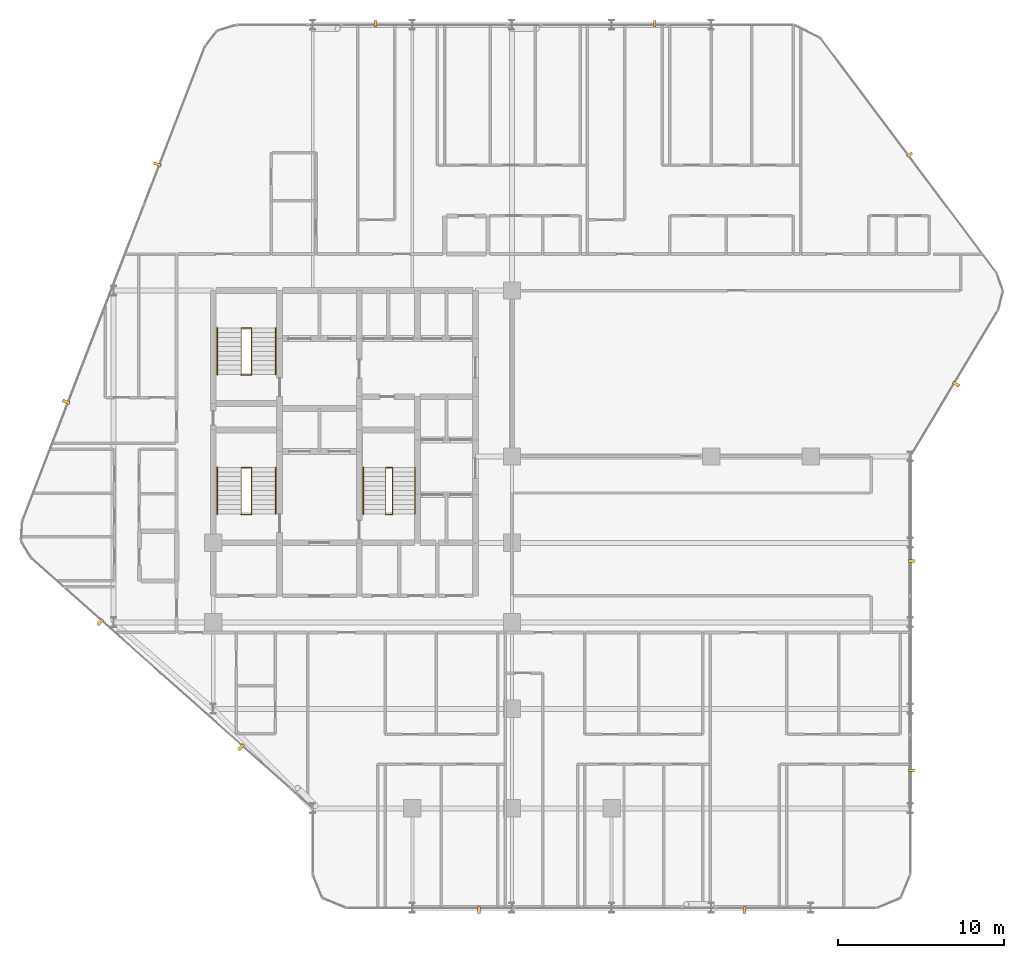
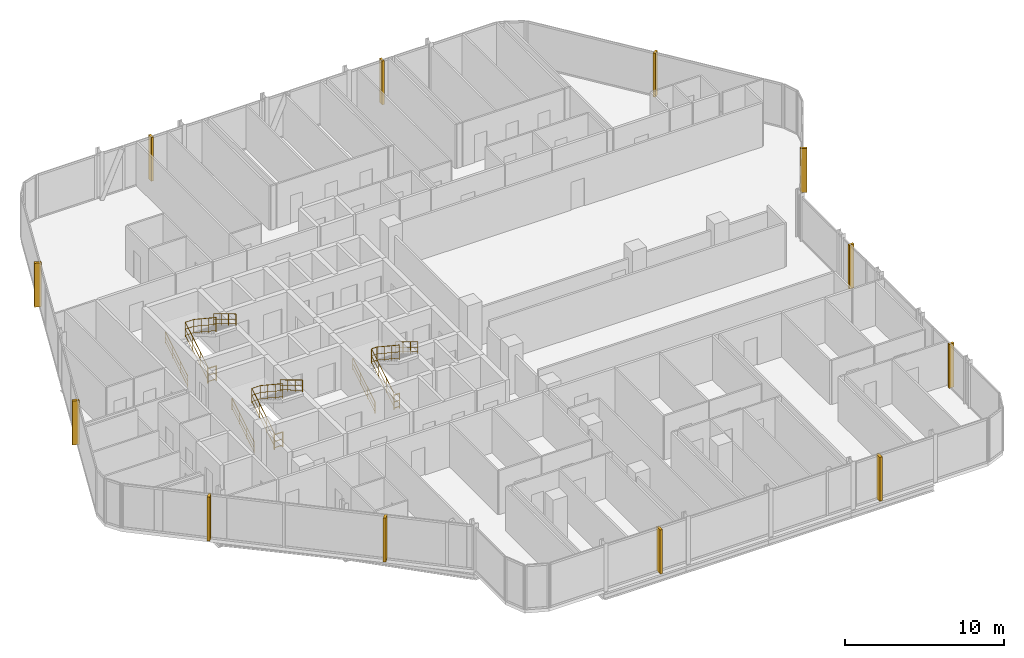
# One storey, part 29 of 29: 12 coverings, 12 railings.
"""IFC4 building model written with IfcOpenShell, lengths in metres."""

from ifc_helpers import new_model, si_unit, direction, frame, origin, origin_2d, place, context, subcontext, project, spatial, rectangle, circle, extrude, material, layer, layer_set, type_object, element, save


model = new_model("IFC4")

# Units and contexts
model_context = context("Model", 3, precision=1e-05, world=origin(), true_north=direction((0.0, 1.0)))
body_context = subcontext(model_context, "Body", "Model", "MODEL_VIEW")
ifc_project = project(units=[si_unit("LENGTHUNIT", "METRE"), si_unit("AREAUNIT", "SQUARE_METRE"), si_unit("VOLUMEUNIT", "CUBIC_METRE"), si_unit("PLANEANGLEUNIT", "RADIAN"), si_unit("MASSUNIT", "GRAM", prefix="KILO")], contexts=[model_context])

# Site, building, storey
site_placement = place(None, origin())
site = spatial("IfcSite", under=ifc_project, at=site_placement, CompositionType="ELEMENT")
building_placement = place(site_placement, origin())
building = spatial("IfcBuilding", under=site, at=building_placement, Name="Keshet Zoharim Tower", CompositionType="ELEMENT")
storey_placement = place(building_placement, frame((0.0, 0.0, 94.60009765625)))
storey = spatial("IfcBuildingStorey", under=building, at=storey_placement, Name="L22", CompositionType="ELEMENT", Elevation=94.60009765625)

# Coverings
ifc_material_1 = material(Name="Concrete C50/60 precast", Category="concrete")
covering_type_1 = type_object("IfcCoveringType", Name="FIN-SOL-360", PredefinedType="CLADDING", material=ifc_material_1)
for number, where, z_axis, x_axis, name in (
    (1, (24.780029296875, 53.97998046875, 0.0), (0.0, 0.0, 1.0), (1.0, 0.0, 0.0), "L22 Vertical Precast Solar Fin 07"),
    (2, (41.593994140625, 53.97998046875, 0.0), (0.0, 0.0, 1.0), (1.0, 0.0, 0.0), "L22 Vertical Precast Solar Fin 08"),
    (3, (56.9609375, 46.0859375, 0.0), (0.0, 0.0, 1.0), (0.600000000002, -0.799999999998, 0.0), "L22 Vertical Precast Solar Fin 09"),
    (4, (57.080078125, 21.60009765625, 0.0), (0.0, 0.0, 1.0), (0.0, -1.0, 0.0), "L22 Vertical Precast Solar Fin 11"),
    (5, (57.080078125, 9.0, 0.0), (0.0, 0.0, 1.0), (0.0, -1.0, 0.0), "L22 Vertical Precast Solar Fin 12"),
):
    element("IfcCovering", number, at=place(storey_placement, frame(where, z_axis=z_axis, x_axis=x_axis)), inside=storey, type_object=covering_type_1, Name=name, PredefinedType="CLADDING", context=body_context, shape_type="SweptSolid", body=[
        extrude(rectangle(XDim=0.159912109375, YDim=0.360107421875, at=origin_2d()), origin(), (0.0, 0.0, 1.0), 3.385009765625),
    ])
covering_type_2 = type_object("IfcCoveringType", Name="FIN-SOL-450", PredefinedType="CLADDING", material=ifc_material_1)
for number, where, z_axis, x_axis, name in (
    (6, (47.0, 0.574951171875, 0.0), (0.0, 0.0, 1.0), (-1.0, 0.0, 0.0), "L22 Vertical Precast Solar Fin 01"),
    (7, (31.0, 0.574951171875, 0.0), (0.0, 0.0, 1.0), (-1.0, 0.0, 0.0), "L22 Vertical Precast Solar Fin 02"),
    (8, (16.676025390625, 10.376953125, 0.0), (0.0, 0.0, 1.0), (-0.747409318679, 0.664363838836, 0.0), "L22 Vertical Precast Solar Fin 03"),
    (9, (8.193115234375, 17.9169921875, 0.0), (0.0, 0.0, 1.0), (-0.747409318679, 0.664363838836, 0.0), "L22 Vertical Precast Solar Fin 04"),
    (10, (6.133056640625, 31.194091796875, 0.0), (0.0, 0.0, 1.0), (0.358990003907, 0.933341404361, 0.0), "L22 Vertical Precast Solar Fin 05"),
    (11, (11.637939453125, 45.507080078125, 0.0), (0.0, 0.0, 1.0), (0.358990003907, 0.933341404361, 0.0), "L22 Vertical Precast Solar Fin 06"),
    (12, (59.760986328125, 32.259033203125, 0.0), (0.0, 0.0, 1.0), (-0.514481501576, -0.857501477862, 0.0), "L22 Vertical Precast Solar Fin 10"),
):
    element("IfcCovering", number, at=place(storey_placement, frame(where, z_axis=z_axis, x_axis=x_axis)), inside=storey, type_object=covering_type_2, Name=name, PredefinedType="CLADDING", context=body_context, shape_type="SweptSolid", body=[
        extrude(rectangle(XDim=0.179931640625, YDim=0.449951171875, at=origin_2d()), origin(), (0.0, 0.0, 1.0), 3.385009765625),
    ])

# Railings
ifc_material_2 = material(Name="Steel S355", Category="steel")
ifc_layer_1 = layer(ifc_material_2, 0.050048828125)
ifc_layer_set_1 = layer_set([ifc_layer_1], Name="Steel S355")
railing_type_1 = type_object("IfcRailingType", Name="RL-HND-092", PredefinedType="HANDRAIL", material=ifc_layer_set_1)
railing_1_placement = place(storey_placement, frame((15.239990234375, 24.43994140625, 0.168212890625)))
element("IfcRailing", 13, at=railing_1_placement, inside=storey, type_object=railing_type_1, Name="L22 ST-01 Flight 1 Wall Handrail", PredefinedType="HANDRAIL", context=body_context, shape_type="SweptSolid", body=[
    extrude(circle(Radius=0.02392578125, at=origin_2d()), frame((0.0, 0.0, 0.89599609375), z_axis=(0.0, 0.857275202839, 0.514858452973), x_axis=(-1.0, 0.0, 0.0)), (0.0, 0.0, 1.0), 3.26611328125),
    extrude(circle(Radius=0.01611328125, at=origin_2d()), frame((0.0, 0.0, 0.478271484375), z_axis=(0.0, 0.857275202839, 0.514858452973), x_axis=(-1.0, 0.0, 0.0)), (0.0, 0.0, 1.0), 3.26611328125),
    extrude(circle(Radius=0.01611328125, at=origin_2d()), frame((0.0, 0.0, 0.1201171875), z_axis=(0.0, 0.857275202839, 0.514858452973), x_axis=(-1.0, 0.0, 0.0)), (0.0, 0.0, 1.0), 3.26611328125),
    extrude(circle(Radius=0.02099609375, at=origin_2d()), origin(), (0.0, 0.0, 1.0), 0.871826171875),
    extrude(circle(Radius=0.02099609375, at=origin_2d()), frame((0.0, 0.933349609375, 0.560546875)), (0.0, 0.0, 1.0), 0.871826171875),
    extrude(circle(Radius=0.02099609375, at=origin_2d()), frame((0.0, 1.86669921875, 1.12109375)), (0.0, 0.0, 1.0), 0.871826171875),
    extrude(circle(Radius=0.02099609375, at=origin_2d()), frame((0.0, 2.800048828125, 1.681640625)), (0.0, 0.0, 1.0), 0.871826171875),
])
railing_2_placement = place(storey_placement, frame((18.760009765625, 27.239990234375, 2.01806640625)))
element("IfcRailing", 14, at=railing_2_placement, inside=storey, type_object=railing_type_1, Name="L22 ST-01 Flight 2 Wall Handrail", PredefinedType="HANDRAIL", context=body_context, shape_type="SweptSolid", body=[
    extrude(circle(Radius=0.02392578125, at=origin_2d()), frame((0.0, 0.0, 0.89599609375), z_axis=(0.0, -0.857242210791, 0.514913383045), x_axis=(1.0, 0.0, 0.0)), (0.0, 0.0, 1.0), 3.266357421875),
    extrude(circle(Radius=0.01611328125, at=origin_2d()), frame((0.0, 0.0, 0.478271484375), z_axis=(0.0, -0.857242210791, 0.514913383045), x_axis=(1.0, 0.0, 0.0)), (0.0, 0.0, 1.0), 3.266357421875),
    extrude(circle(Radius=0.01611328125, at=origin_2d()), frame((0.0, 0.0, 0.1201171875), z_axis=(0.0, -0.857242210791, 0.514913383045), x_axis=(1.0, 0.0, 0.0)), (0.0, 0.0, 1.0), 3.266357421875),
    extrude(circle(Radius=0.02099609375, at=origin_2d()), origin(), (0.0, 0.0, 1.0), 0.871826171875),
    extrude(circle(Radius=0.02099609375, at=origin_2d()), frame((0.0, -0.933349609375, 0.560546875)), (0.0, 0.0, 1.0), 0.871826171875),
    extrude(circle(Radius=0.02099609375, at=origin_2d()), frame((0.0, -1.86669921875, 1.121337890625)), (0.0, 0.0, 1.0), 0.871826171875),
    extrude(circle(Radius=0.02099609375, at=origin_2d()), frame((0.0, -2.800048828125, 1.681884765625)), (0.0, 0.0, 1.0), 0.871826171875),
])
railing_3_placement = place(storey_placement, frame((15.239990234375, 32.840087890625, 0.168212890625)))
element("IfcRailing", 15, at=railing_3_placement, inside=storey, type_object=railing_type_1, Name="L22 ST-02 Flight 1 Wall Handrail", PredefinedType="HANDRAIL", context=body_context, shape_type="SweptSolid", body=[
    extrude(circle(Radius=0.02392578125, at=origin_2d()), frame((0.0, 0.0, 0.89599609375), z_axis=(0.0, 0.857255387014, 0.514891446264), x_axis=(-1.0, 0.0, 0.0)), (0.0, 0.0, 1.0), 3.26611328125),
    extrude(circle(Radius=0.01611328125, at=origin_2d()), frame((0.0, 0.0, 0.478271484375), z_axis=(0.0, 0.857255387014, 0.514891446264), x_axis=(-1.0, 0.0, 0.0)), (0.0, 0.0, 1.0), 3.26611328125),
    extrude(circle(Radius=0.01611328125, at=origin_2d()), frame((0.0, 0.0, 0.1201171875), z_axis=(0.0, 0.857255387014, 0.514891446264), x_axis=(-1.0, 0.0, 0.0)), (0.0, 0.0, 1.0), 3.26611328125),
    extrude(circle(Radius=0.02099609375, at=origin_2d()), origin(), (0.0, 0.0, 1.0), 0.871826171875),
    extrude(circle(Radius=0.02099609375, at=origin_2d()), frame((0.0, 0.933349609375, 0.560546875)), (0.0, 0.0, 1.0), 0.871826171875),
    extrude(circle(Radius=0.02099609375, at=origin_2d()), frame((0.0, 1.866455078125, 1.12109375)), (0.0, 0.0, 1.0), 0.871826171875),
    extrude(circle(Radius=0.02099609375, at=origin_2d()), frame((0.0, 2.7998046875, 1.681640625)), (0.0, 0.0, 1.0), 0.871826171875),
])
railing_4_placement = place(storey_placement, frame((18.760009765625, 35.639892578125, 2.01806640625)))
element("IfcRailing", 16, at=railing_4_placement, inside=storey, type_object=railing_type_1, Name="L22 ST-02 Flight 2 Wall Handrail", PredefinedType="HANDRAIL", context=body_context, shape_type="SweptSolid", body=[
    extrude(circle(Radius=0.02392578125, at=origin_2d()), frame((0.0, 0.0, 0.89599609375), z_axis=(0.0, -0.857222391501, 0.514946377315), x_axis=(1.0, 0.0, 0.0)), (0.0, 0.0, 1.0), 3.26611328125),
    extrude(circle(Radius=0.01611328125, at=origin_2d()), frame((0.0, 0.0, 0.478271484375), z_axis=(0.0, -0.857222391501, 0.514946377315), x_axis=(1.0, 0.0, 0.0)), (0.0, 0.0, 1.0), 3.26611328125),
    extrude(circle(Radius=0.01611328125, at=origin_2d()), frame((0.0, 0.0, 0.1201171875), z_axis=(0.0, -0.857222391501, 0.514946377315), x_axis=(1.0, 0.0, 0.0)), (0.0, 0.0, 1.0), 3.26611328125),
    extrude(circle(Radius=0.02099609375, at=origin_2d()), origin(), (0.0, 0.0, 1.0), 0.871826171875),
    extrude(circle(Radius=0.02099609375, at=origin_2d()), frame((0.0, -0.933349609375, 0.560546875)), (0.0, 0.0, 1.0), 0.871826171875),
    extrude(circle(Radius=0.02099609375, at=origin_2d()), frame((0.0, -1.866455078125, 1.121337890625)), (0.0, 0.0, 1.0), 0.871826171875),
    extrude(circle(Radius=0.02099609375, at=origin_2d()), frame((0.0, -2.7998046875, 1.681884765625)), (0.0, 0.0, 1.0), 0.871826171875),
])
railing_5_placement = place(storey_placement, frame((24.0400390625, 24.43994140625, 0.168212890625)))
element("IfcRailing", 17, at=railing_5_placement, inside=storey, type_object=railing_type_1, Name="L22 ST-03 Flight 1 Wall Handrail", PredefinedType="HANDRAIL", context=body_context, shape_type="SweptSolid", body=[
    extrude(circle(Radius=0.02392578125, at=origin_2d()), frame((0.0, 0.0, 0.89599609375), z_axis=(0.0, 0.857275202839, 0.514858452973), x_axis=(-1.0, 0.0, 0.0)), (0.0, 0.0, 1.0), 3.26611328125),
    extrude(circle(Radius=0.01611328125, at=origin_2d()), frame((0.0, 0.0, 0.478271484375), z_axis=(0.0, 0.857275202839, 0.514858452973), x_axis=(-1.0, 0.0, 0.0)), (0.0, 0.0, 1.0), 3.26611328125),
    extrude(circle(Radius=0.01611328125, at=origin_2d()), frame((0.0, 0.0, 0.1201171875), z_axis=(0.0, 0.857275202839, 0.514858452973), x_axis=(-1.0, 0.0, 0.0)), (0.0, 0.0, 1.0), 3.26611328125),
    extrude(circle(Radius=0.02099609375, at=origin_2d()), origin(), (0.0, 0.0, 1.0), 0.871826171875),
    extrude(circle(Radius=0.02099609375, at=origin_2d()), frame((0.0, 0.933349609375, 0.560546875)), (0.0, 0.0, 1.0), 0.871826171875),
    extrude(circle(Radius=0.02099609375, at=origin_2d()), frame((0.0, 1.86669921875, 1.12109375)), (0.0, 0.0, 1.0), 0.871826171875),
    extrude(circle(Radius=0.02099609375, at=origin_2d()), frame((0.0, 2.800048828125, 1.681640625)), (0.0, 0.0, 1.0), 0.871826171875),
])
railing_6_placement = place(storey_placement, frame((27.159912109375, 27.239990234375, 2.01806640625)))
element("IfcRailing", 18, at=railing_6_placement, inside=storey, type_object=railing_type_1, Name="L22 ST-03 Flight 2 Wall Handrail", PredefinedType="HANDRAIL", context=body_context, shape_type="SweptSolid", body=[
    extrude(circle(Radius=0.02392578125, at=origin_2d()), frame((0.0, 0.0, 0.89599609375), z_axis=(0.0, -0.857242210791, 0.514913383045), x_axis=(1.0, 0.0, 0.0)), (0.0, 0.0, 1.0), 3.266357421875),
    extrude(circle(Radius=0.01611328125, at=origin_2d()), frame((0.0, 0.0, 0.478271484375), z_axis=(0.0, -0.857242210791, 0.514913383045), x_axis=(1.0, 0.0, 0.0)), (0.0, 0.0, 1.0), 3.266357421875),
    extrude(circle(Radius=0.01611328125, at=origin_2d()), frame((0.0, 0.0, 0.1201171875), z_axis=(0.0, -0.857242210791, 0.514913383045), x_axis=(1.0, 0.0, 0.0)), (0.0, 0.0, 1.0), 3.266357421875),
    extrude(circle(Radius=0.02099609375, at=origin_2d()), origin(), (0.0, 0.0, 1.0), 0.871826171875),
    extrude(circle(Radius=0.02099609375, at=origin_2d()), frame((0.0, -0.933349609375, 0.560546875)), (0.0, 0.0, 1.0), 0.871826171875),
    extrude(circle(Radius=0.02099609375, at=origin_2d()), frame((0.0, -1.86669921875, 1.121337890625)), (0.0, 0.0, 1.0), 0.871826171875),
    extrude(circle(Radius=0.02099609375, at=origin_2d()), frame((0.0, -2.800048828125, 1.681884765625)), (0.0, 0.0, 1.0), 0.871826171875),
])
ifc_layer_2 = layer(ifc_material_2, 0.06005859375)
ifc_layer_set_2 = layer_set([ifc_layer_2], Name="Steel S355")
railing_type_2 = type_object("IfcRailingType", Name="RL-STG-115", PredefinedType="GUARDRAIL", material=ifc_layer_set_2)
railing_7_placement = place(storey_placement, frame((16.68994140625, 24.43994140625, 0.168212890625)))
element("IfcRailing", 19, at=railing_7_placement, inside=storey, type_object=railing_type_2, Name="L22 ST-01 Inner Well Guardrail", PredefinedType="GUARDRAIL", context=body_context, shape_type="SweptSolid", body=[
    extrude(circle(Radius=0.02392578125, at=origin_2d()), frame((0.0, 0.0, 1.1259765625), z_axis=(0.0, 0.857275202839, 0.514858452973), x_axis=(-1.0, 0.0, 0.0)), (0.0, 0.0, 1.0), 3.26611328125),
    extrude(circle(Radius=0.01611328125, at=origin_2d()), frame((0.0, 0.0, 0.597900390625), z_axis=(0.0, 0.857275202839, 0.514858452973), x_axis=(-1.0, 0.0, 0.0)), (0.0, 0.0, 1.0), 3.26611328125),
    extrude(circle(Radius=0.01611328125, at=origin_2d()), frame((0.0, 0.0, 0.1201171875), z_axis=(0.0, 0.857275202839, 0.514858452973), x_axis=(-1.0, 0.0, 0.0)), (0.0, 0.0, 1.0), 3.26611328125),
    extrude(circle(Radius=0.02392578125, at=origin_2d()), frame((0.0, 2.800048828125, 2.8076171875), z_axis=(1.0, 0.0, 0.0), x_axis=(0.0, 1.0, 0.0)), (0.0, 0.0, 1.0), 0.6201171875),
    extrude(circle(Radius=0.01611328125, at=origin_2d()), frame((0.0, 2.800048828125, 2.279541015625), z_axis=(1.0, 0.0, 0.0), x_axis=(0.0, 1.0, 0.0)), (0.0, 0.0, 1.0), 0.6201171875),
    extrude(circle(Radius=0.01611328125, at=origin_2d()), frame((0.0, 2.800048828125, 1.8017578125), z_axis=(1.0, 0.0, 0.0), x_axis=(0.0, 1.0, 0.0)), (0.0, 0.0, 1.0), 0.6201171875),
    extrude(circle(Radius=0.02392578125, at=origin_2d()), frame((0.6201171875, 2.800048828125, 2.8076171875), z_axis=(0.0, -0.834326358476, 0.551270829586), x_axis=(1.0, 0.0, 0.0)), (0.0, 0.0, 1.0), 3.35595703125),
    extrude(circle(Radius=0.01611328125, at=origin_2d()), frame((0.6201171875, 2.800048828125, 2.279541015625), z_axis=(0.0, -0.834326358476, 0.551270829586), x_axis=(1.0, 0.0, 0.0)), (0.0, 0.0, 1.0), 3.35595703125),
    extrude(circle(Radius=0.01611328125, at=origin_2d()), frame((0.6201171875, 2.800048828125, 1.8017578125), z_axis=(0.0, -0.834326358476, 0.551270829586), x_axis=(1.0, 0.0, 0.0)), (0.0, 0.0, 1.0), 3.35595703125),
    extrude(circle(Radius=0.02099609375, at=origin_2d()), origin(), (0.0, 0.0, 1.0), 1.101806640625),
    extrude(circle(Radius=0.02099609375, at=origin_2d()), frame((0.0, 0.933349609375, 0.560546875)), (0.0, 0.0, 1.0), 1.101806640625),
    extrude(circle(Radius=0.02099609375, at=origin_2d()), frame((0.0, 1.86669921875, 1.12109375)), (0.0, 0.0, 1.0), 1.101806640625),
    extrude(circle(Radius=0.02099609375, at=origin_2d()), frame((0.0, 2.800048828125, 1.681640625)), (0.0, 0.0, 1.0), 1.101806640625),
    extrude(circle(Radius=0.02099609375, at=origin_2d()), frame((0.6201171875, 2.800048828125, 1.681640625)), (0.0, 0.0, 1.0), 1.101806640625),
    extrude(circle(Radius=0.02099609375, at=origin_2d()), frame((0.6201171875, 1.86669921875, 2.29833984375)), (0.0, 0.0, 1.0), 1.101806640625),
    extrude(circle(Radius=0.02099609375, at=origin_2d()), frame((0.6201171875, 0.933349609375, 2.9150390625)), (0.0, 0.0, 1.0), 1.101806640625),
    extrude(circle(Radius=0.02099609375, at=origin_2d()), frame((0.6201171875, 0.0, 3.53173828125)), (0.0, 0.0, 1.0), 1.101806640625),
])
railing_8_placement = place(storey_placement, frame((16.68994140625, 24.409912109375, 0.0)))
element("IfcRailing", 20, at=railing_8_placement, inside=storey, type_object=railing_type_2, Name="L22 ST-01 Stairwell Floor Guardrail", PredefinedType="GUARDRAIL", context=body_context, shape_type="SweptSolid", body=[
    extrude(circle(Radius=0.02392578125, at=origin_2d()), frame((0.0, 0.0, 1.1259765625), z_axis=(1.0, 0.0, 0.0), x_axis=(0.0, 1.0, 0.0)), (0.0, 0.0, 1.0), 0.6201171875),
    extrude(circle(Radius=0.01611328125, at=origin_2d()), frame((0.0, 0.0, 0.597900390625), z_axis=(1.0, 0.0, 0.0), x_axis=(0.0, 1.0, 0.0)), (0.0, 0.0, 1.0), 0.6201171875),
    extrude(circle(Radius=0.01611328125, at=origin_2d()), frame((0.0, 0.0, 0.1201171875), z_axis=(1.0, 0.0, 0.0), x_axis=(0.0, 1.0, 0.0)), (0.0, 0.0, 1.0), 0.6201171875),
    extrude(circle(Radius=0.02099609375, at=origin_2d()), origin(), (0.0, 0.0, 1.0), 1.101806640625),
    extrude(circle(Radius=0.02099609375, at=origin_2d()), frame((0.6201171875, 0.0, 0.0)), (0.0, 0.0, 1.0), 1.101806640625),
])
railing_9_placement = place(storey_placement, frame((16.68994140625, 32.840087890625, 0.168212890625)))
element("IfcRailing", 21, at=railing_9_placement, inside=storey, type_object=railing_type_2, Name="L22 ST-02 Inner Well Guardrail", PredefinedType="GUARDRAIL", context=body_context, shape_type="SweptSolid", body=[
    extrude(circle(Radius=0.02392578125, at=origin_2d()), frame((0.0, 0.0, 1.1259765625), z_axis=(0.0, 0.857255387014, 0.514891446264), x_axis=(-1.0, 0.0, 0.0)), (0.0, 0.0, 1.0), 3.26611328125),
    extrude(circle(Radius=0.01611328125, at=origin_2d()), frame((0.0, 0.0, 0.597900390625), z_axis=(0.0, 0.857255387014, 0.514891446264), x_axis=(-1.0, 0.0, 0.0)), (0.0, 0.0, 1.0), 3.26611328125),
    extrude(circle(Radius=0.01611328125, at=origin_2d()), frame((0.0, 0.0, 0.1201171875), z_axis=(0.0, 0.857255387014, 0.514891446264), x_axis=(-1.0, 0.0, 0.0)), (0.0, 0.0, 1.0), 3.26611328125),
    extrude(circle(Radius=0.02392578125, at=origin_2d()), frame((0.0, 2.7998046875, 2.8076171875), z_axis=(1.0, 0.0, 0.0), x_axis=(0.0, 1.0, 0.0)), (0.0, 0.0, 1.0), 0.6201171875),
    extrude(circle(Radius=0.01611328125, at=origin_2d()), frame((0.0, 2.7998046875, 2.279541015625), z_axis=(1.0, 0.0, 0.0), x_axis=(0.0, 1.0, 0.0)), (0.0, 0.0, 1.0), 0.6201171875),
    extrude(circle(Radius=0.01611328125, at=origin_2d()), frame((0.0, 2.7998046875, 1.8017578125), z_axis=(1.0, 0.0, 0.0), x_axis=(0.0, 1.0, 0.0)), (0.0, 0.0, 1.0), 0.6201171875),
    extrude(circle(Radius=0.02392578125, at=origin_2d()), frame((0.6201171875, 2.7998046875, 2.8076171875), z_axis=(0.0, -0.834304248922, 0.551304290053), x_axis=(1.0, 0.0, 0.0)), (0.0, 0.0, 1.0), 3.35595703125),
    extrude(circle(Radius=0.01611328125, at=origin_2d()), frame((0.6201171875, 2.7998046875, 2.279541015625), z_axis=(0.0, -0.834304248922, 0.551304290053), x_axis=(1.0, 0.0, 0.0)), (0.0, 0.0, 1.0), 3.35595703125),
    extrude(circle(Radius=0.01611328125, at=origin_2d()), frame((0.6201171875, 2.7998046875, 1.8017578125), z_axis=(0.0, -0.834304248922, 0.551304290053), x_axis=(1.0, 0.0, 0.0)), (0.0, 0.0, 1.0), 3.35595703125),
    extrude(circle(Radius=0.02099609375, at=origin_2d()), origin(), (0.0, 0.0, 1.0), 1.101806640625),
    extrude(circle(Radius=0.02099609375, at=origin_2d()), frame((0.0, 0.933349609375, 0.560546875)), (0.0, 0.0, 1.0), 1.101806640625),
    extrude(circle(Radius=0.02099609375, at=origin_2d()), frame((0.0, 1.866455078125, 1.12109375)), (0.0, 0.0, 1.0), 1.101806640625),
    extrude(circle(Radius=0.02099609375, at=origin_2d()), frame((0.0, 2.7998046875, 1.681640625)), (0.0, 0.0, 1.0), 1.101806640625),
    extrude(circle(Radius=0.02099609375, at=origin_2d()), frame((0.6201171875, 2.7998046875, 1.681640625)), (0.0, 0.0, 1.0), 1.101806640625),
    extrude(circle(Radius=0.02099609375, at=origin_2d()), frame((0.6201171875, 1.866455078125, 2.29833984375)), (0.0, 0.0, 1.0), 1.101806640625),
    extrude(circle(Radius=0.02099609375, at=origin_2d()), frame((0.6201171875, 0.933349609375, 2.9150390625)), (0.0, 0.0, 1.0), 1.101806640625),
    extrude(circle(Radius=0.02099609375, at=origin_2d()), frame((0.6201171875, 0.0, 3.53173828125)), (0.0, 0.0, 1.0), 1.101806640625),
])
railing_10_placement = place(storey_placement, frame((16.68994140625, 32.81005859375, 0.0)))
element("IfcRailing", 22, at=railing_10_placement, inside=storey, type_object=railing_type_2, Name="L22 ST-02 Stairwell Floor Guardrail", PredefinedType="GUARDRAIL", context=body_context, shape_type="SweptSolid", body=[
    extrude(circle(Radius=0.02392578125, at=origin_2d()), frame((0.0, 0.0, 1.1259765625), z_axis=(1.0, 0.0, 0.0), x_axis=(0.0, 1.0, 0.0)), (0.0, 0.0, 1.0), 0.6201171875),
    extrude(circle(Radius=0.01611328125, at=origin_2d()), frame((0.0, 0.0, 0.597900390625), z_axis=(1.0, 0.0, 0.0), x_axis=(0.0, 1.0, 0.0)), (0.0, 0.0, 1.0), 0.6201171875),
    extrude(circle(Radius=0.01611328125, at=origin_2d()), frame((0.0, 0.0, 0.1201171875), z_axis=(1.0, 0.0, 0.0), x_axis=(0.0, 1.0, 0.0)), (0.0, 0.0, 1.0), 0.6201171875),
    extrude(circle(Radius=0.02099609375, at=origin_2d()), origin(), (0.0, 0.0, 1.0), 1.101806640625),
    extrude(circle(Radius=0.02099609375, at=origin_2d()), frame((0.6201171875, 0.0, 0.0)), (0.0, 0.0, 1.0), 1.101806640625),
])
railing_11_placement = place(storey_placement, frame((25.39990234375, 24.43994140625, 0.168212890625)))
element("IfcRailing", 23, at=railing_11_placement, inside=storey, type_object=railing_type_2, Name="L22 ST-03 Inner Well Guardrail", PredefinedType="GUARDRAIL", context=body_context, shape_type="SweptSolid", body=[
    extrude(circle(Radius=0.02392578125, at=origin_2d()), frame((0.0, 0.0, 1.1259765625), z_axis=(0.0, 0.857275202839, 0.514858452973), x_axis=(-1.0, 0.0, 0.0)), (0.0, 0.0, 1.0), 3.26611328125),
    extrude(circle(Radius=0.01611328125, at=origin_2d()), frame((0.0, 0.0, 0.597900390625), z_axis=(0.0, 0.857275202839, 0.514858452973), x_axis=(-1.0, 0.0, 0.0)), (0.0, 0.0, 1.0), 3.26611328125),
    extrude(circle(Radius=0.01611328125, at=origin_2d()), frame((0.0, 0.0, 0.1201171875), z_axis=(0.0, 0.857275202839, 0.514858452973), x_axis=(-1.0, 0.0, 0.0)), (0.0, 0.0, 1.0), 3.26611328125),
    extrude(circle(Radius=0.02392578125, at=origin_2d()), frame((0.0, 2.800048828125, 2.8076171875), z_axis=(1.0, 0.0, 0.0), x_axis=(0.0, 1.0, 0.0)), (0.0, 0.0, 1.0), 0.400146484375),
    extrude(circle(Radius=0.01611328125, at=origin_2d()), frame((0.0, 2.800048828125, 2.279541015625), z_axis=(1.0, 0.0, 0.0), x_axis=(0.0, 1.0, 0.0)), (0.0, 0.0, 1.0), 0.400146484375),
    extrude(circle(Radius=0.01611328125, at=origin_2d()), frame((0.0, 2.800048828125, 1.8017578125), z_axis=(1.0, 0.0, 0.0), x_axis=(0.0, 1.0, 0.0)), (0.0, 0.0, 1.0), 0.400146484375),
    extrude(circle(Radius=0.02392578125, at=origin_2d()), frame((0.400146484375, 2.800048828125, 2.8076171875), z_axis=(0.0, -0.834326358476, 0.551270829586), x_axis=(1.0, 0.0, 0.0)), (0.0, 0.0, 1.0), 3.35595703125),
    extrude(circle(Radius=0.01611328125, at=origin_2d()), frame((0.400146484375, 2.800048828125, 2.279541015625), z_axis=(0.0, -0.834326358476, 0.551270829586), x_axis=(1.0, 0.0, 0.0)), (0.0, 0.0, 1.0), 3.35595703125),
    extrude(circle(Radius=0.01611328125, at=origin_2d()), frame((0.400146484375, 2.800048828125, 1.8017578125), z_axis=(0.0, -0.834326358476, 0.551270829586), x_axis=(1.0, 0.0, 0.0)), (0.0, 0.0, 1.0), 3.35595703125),
    extrude(circle(Radius=0.02099609375, at=origin_2d()), origin(), (0.0, 0.0, 1.0), 1.101806640625),
    extrude(circle(Radius=0.02099609375, at=origin_2d()), frame((0.0, 0.933349609375, 0.560546875)), (0.0, 0.0, 1.0), 1.101806640625),
    extrude(circle(Radius=0.02099609375, at=origin_2d()), frame((0.0, 1.86669921875, 1.12109375)), (0.0, 0.0, 1.0), 1.101806640625),
    extrude(circle(Radius=0.02099609375, at=origin_2d()), frame((0.0, 2.800048828125, 1.681640625)), (0.0, 0.0, 1.0), 1.101806640625),
    extrude(circle(Radius=0.02099609375, at=origin_2d()), frame((0.400146484375, 2.800048828125, 1.681640625)), (0.0, 0.0, 1.0), 1.101806640625),
    extrude(circle(Radius=0.02099609375, at=origin_2d()), frame((0.400146484375, 1.86669921875, 2.29833984375)), (0.0, 0.0, 1.0), 1.101806640625),
    extrude(circle(Radius=0.02099609375, at=origin_2d()), frame((0.400146484375, 0.933349609375, 2.9150390625)), (0.0, 0.0, 1.0), 1.101806640625),
    extrude(circle(Radius=0.02099609375, at=origin_2d()), frame((0.400146484375, 0.0, 3.53173828125)), (0.0, 0.0, 1.0), 1.101806640625),
])
railing_12_placement = place(storey_placement, frame((25.39990234375, 24.409912109375, 0.0)))
element("IfcRailing", 24, at=railing_12_placement, inside=storey, type_object=railing_type_2, Name="L22 ST-03 Stairwell Floor Guardrail", PredefinedType="GUARDRAIL", context=body_context, shape_type="SweptSolid", body=[
    extrude(circle(Radius=0.02392578125, at=origin_2d()), frame((0.0, 0.0, 1.1259765625), z_axis=(1.0, 0.0, 0.0), x_axis=(0.0, 1.0, 0.0)), (0.0, 0.0, 1.0), 0.400146484375),
    extrude(circle(Radius=0.01611328125, at=origin_2d()), frame((0.0, 0.0, 0.597900390625), z_axis=(1.0, 0.0, 0.0), x_axis=(0.0, 1.0, 0.0)), (0.0, 0.0, 1.0), 0.400146484375),
    extrude(circle(Radius=0.01611328125, at=origin_2d()), frame((0.0, 0.0, 0.1201171875), z_axis=(1.0, 0.0, 0.0), x_axis=(0.0, 1.0, 0.0)), (0.0, 0.0, 1.0), 0.400146484375),
    extrude(circle(Radius=0.02099609375, at=origin_2d()), origin(), (0.0, 0.0, 1.0), 1.101806640625),
    extrude(circle(Radius=0.02099609375, at=origin_2d()), frame((0.400146484375, 0.0, 0.0)), (0.0, 0.0, 1.0), 1.101806640625),
])

save(model, "model.ifc")
